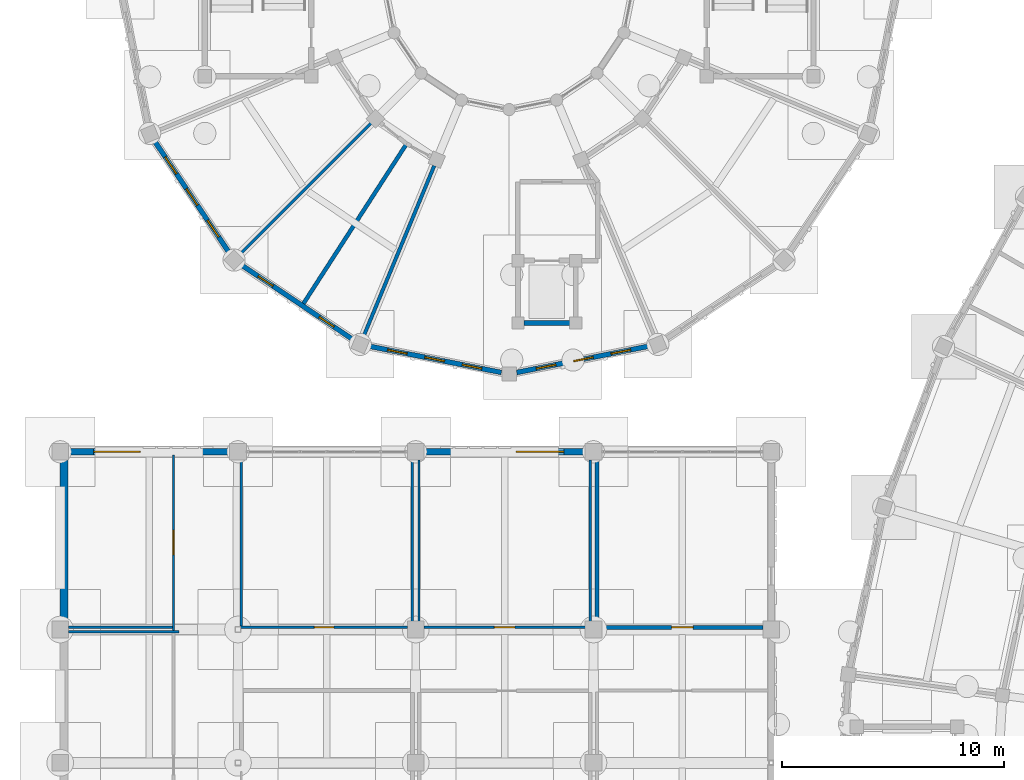
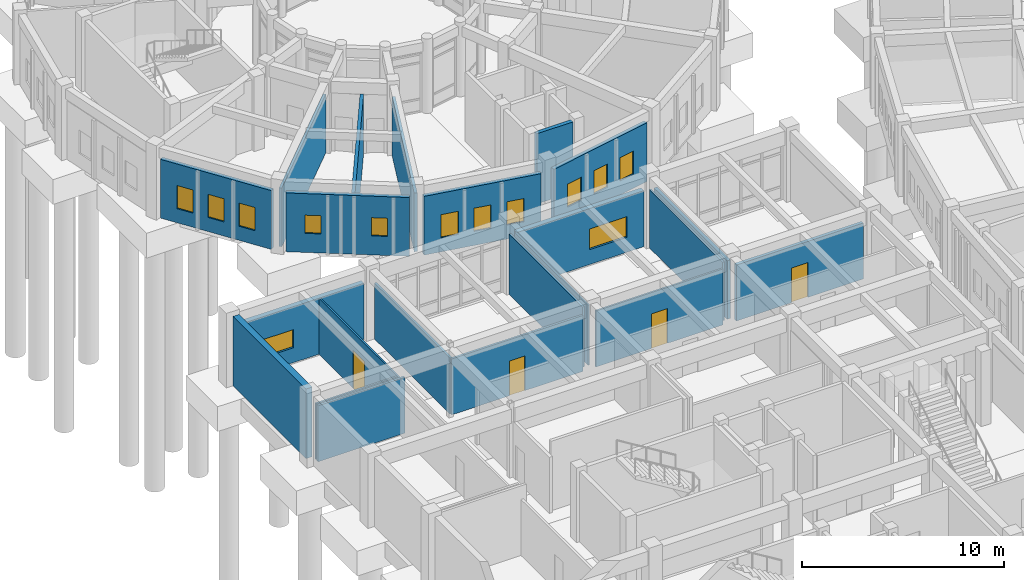
# One storey, part 125 of 153: 22 walls, 13 windows, 4 doors, 17 openings.
"""IFC4 building model written with IfcOpenShell, lengths in metres."""

from ifc_helpers import new_model, si_unit, direction, frame, frame_2d, origin, place, context, subcontext, project, spatial, rectangle, extrude, material, layer, layer_set, type_object, element, fill, save


model = new_model("IFC4")

# Units and contexts
model_context = context("Model", 3, precision=1e-05, world=origin(), true_north=direction((0.0, 1.0)))
body_context = subcontext(model_context, "Body", "Model", "MODEL_VIEW")
ifc_project = project(units=[si_unit("LENGTHUNIT", "METRE"), si_unit("AREAUNIT", "SQUARE_METRE"), si_unit("VOLUMEUNIT", "CUBIC_METRE"), si_unit("PLANEANGLEUNIT", "RADIAN"), si_unit("MASSUNIT", "GRAM", prefix="KILO")], contexts=[model_context])

# Site, building, storey
site_placement = place(None, origin())
site = spatial("IfcSite", under=ifc_project, at=site_placement, CompositionType="ELEMENT")
building_placement = place(site_placement, origin())
building = spatial("IfcBuilding", under=site, at=building_placement, Name="Celadon Cloister-Ring School", CompositionType="ELEMENT")
storey_placement = place(building_placement, origin())
storey = spatial("IfcBuildingStorey", under=building, at=storey_placement, Name="L00", CompositionType="ELEMENT", Elevation=0.0)

# Wall, opening, window
ifc_material_1 = material(Name="Rendered concrete blockwork", Category="masonry")
ifc_layer_1 = layer(ifc_material_1, 0.280029296875)
ifc_layer_set_1 = layer_set([ifc_layer_1], Name="Rendered concrete blockwork")
wall_type_1 = type_object("IfcWallType", Name="WT-EX1", PredefinedType="SOLIDWALL", material=ifc_layer_set_1)
wall_1_placement = place(storey_placement, frame((0.376953125, 76.0, 0.0), z_axis=(0.0, 0.0, 1.0), x_axis=(1.0, 0.0, 0.0)))
wall_1 = element("IfcWall", 1, at=wall_1_placement, inside=storey, type_object=wall_type_1, Name="Exterior Wall 0487", PredefinedType="SOLIDWALL", context=body_context, shape_type="SweptSolid", body=[
    extrude(rectangle(XDim=7.24609375, YDim=0.280029296875, at=frame_2d((3.623046875, 0.0))), origin(), (0.0, 0.0, 1.0), 3.382080078125),
])
opening_1_placement = place(wall_1_placement, frame((1.1240234375, 0.0, 0.89990234375)))
opening_1 = element("IfcOpeningElement", 2, at=opening_1_placement, cuts=wall_1, Name="Opening WN-09", PredefinedType="OPENING", context=body_context, shape_type="SweptSolid", body=[
    extrude(rectangle(XDim=2.10009765625, YDim=1.10009765625, at=frame_2d((1.050048828125, 0.550048828125))), frame((0.0, 0.14990234375, 0.0), z_axis=(0.0, -1.0, 0.0), x_axis=(1.0, 0.0, 0.0)), (0.0, 0.0, 1.0), 0.300048828125),
])
ifc_material_2 = material(Name="Tempered laminated insulating glass", Category="glass")
window_type_1 = type_object("IfcWindowType", Name="WN-09", PartitioningType="DOUBLE_PANEL_VERTICAL", PredefinedType="WINDOW", material=ifc_material_2)
window_1_placement = place(opening_1_placement, origin())
window_1 = element("IfcWindow", 3, at=window_1_placement, inside=storey, type_object=window_type_1, Name="Window 0995", OverallHeight=1.10009765625, OverallWidth=2.10009765625, PartitioningType="SINGLE_PANEL", PredefinedType="WINDOW", context=body_context, shape_type="SweptSolid", body=[
    extrude(rectangle(XDim=2.10009765625, YDim=1.10009765625, at=frame_2d((1.050048828125, 0.550048828125))), frame((0.0, 0.030029296875, 0.0), z_axis=(0.0, -1.0, 0.0), x_axis=(1.0, 0.0, 0.0)), (0.0, 0.0, 1.0), 0.06005859375),
])
fill(opening_1, window_1)

wall_2_placement = place(storey_placement, frame((16.376953125, 76.0, 0.0), z_axis=(0.0, 0.0, 1.0), x_axis=(1.0, 0.0, 0.0)))
wall_2 = element("IfcWall", 4, at=wall_2_placement, inside=storey, type_object=wall_type_1, Name="Exterior Wall 0488", PredefinedType="SOLIDWALL", context=body_context, shape_type="SweptSolid", body=[
    extrude(rectangle(XDim=7.24609375, YDim=0.280029296875, at=frame_2d((3.623046875, 0.0))), origin(), (0.0, 0.0, 1.0), 3.382080078125),
])
opening_2_placement = place(wall_2_placement, frame((4.14208984375, 0.0, 0.89990234375)))
opening_2 = element("IfcOpeningElement", 5, at=opening_2_placement, cuts=wall_2, Name="Opening WN-19", PredefinedType="OPENING", context=body_context, shape_type="SweptSolid", body=[
    extrude(rectangle(XDim=2.14990234375, YDim=1.25, at=frame_2d((1.074951171875, 0.625))), frame((0.0, 0.14990234375, 0.0), z_axis=(0.0, -1.0, 0.0), x_axis=(1.0, 0.0, 0.0)), (0.0, 0.0, 1.0), 0.300048828125),
])
ifc_material_3 = material(Name="Tempered laminated insulating glass", Category="glass")
window_type_2 = type_object("IfcWindowType", Name="WN-19", PartitioningType="DOUBLE_PANEL_VERTICAL", PredefinedType="WINDOW", material=ifc_material_3)
window_2_placement = place(opening_2_placement, origin())
window_2 = element("IfcWindow", 6, at=window_2_placement, inside=storey, type_object=window_type_2, Name="Window 0996", OverallHeight=1.25, OverallWidth=2.14990234375, PartitioningType="SINGLE_PANEL", PredefinedType="WINDOW", context=body_context, shape_type="SweptSolid", body=[
    extrude(rectangle(XDim=2.14990234375, YDim=1.25, at=frame_2d((1.074951171875, 0.625))), frame((0.0, 0.030029296875, 0.0), z_axis=(0.0, -1.0, 0.0), x_axis=(1.0, 0.0, 0.0)), (0.0, 0.0, 1.0), 0.06005859375),
])
fill(opening_2, window_2)

# Wall, openings, windows
ifc_material_4 = material(Name="Perforated terracotta clay brick masonry", Category="masonry")
ifc_layer_2 = layer(ifc_material_4, 0.219970703125)
ifc_layer_set_2 = layer_set([ifc_layer_2], Name="Perforated terracotta clay brick masonry")
wall_type_2 = type_object("IfcWallType", Name="WT-EX4", PredefinedType="SOLIDWALL", material=ifc_layer_set_2)
wall_3_placement = place(storey_placement, frame((7.62890625, 84.9208984375, 0.0), z_axis=(0.0, 0.0, 1.0), x_axis=(-0.555657446161, 0.831411331728, 0.0)))
wall_3 = element("IfcWall", 7, at=wall_3_placement, inside=storey, type_object=wall_type_2, Name="Exterior Wall 0222", PredefinedType="SOLIDWALL", context=body_context, shape_type="SweptSolid", body=[
    extrude(rectangle(XDim=6.11865234375, YDim=0.219970703125, at=frame_2d((3.059326171875, 0.0))), origin(), (0.0, 0.0, 1.0), 3.550048828125),
])
opening_3_placement = place(wall_3_placement, frame((0.89599609375, 0.0, 0.85009765625)))
opening_3 = element("IfcOpeningElement", 8, at=opening_3_placement, cuts=wall_3, Name="Opening WN-21", PredefinedType="OPENING", context=body_context, shape_type="SweptSolid", body=[
    extrude(rectangle(XDim=0.89990234375, YDim=1.39990234375, at=frame_2d((0.449951171875, 0.699951171875))), frame((0.0, 0.1201171875, 0.0), z_axis=(0.0, -1.0, 0.0), x_axis=(1.0, 0.0, 0.0)), (0.0, 0.0, 1.0), 0.239990234375),
])
opening_4_placement = place(wall_3_placement, frame((2.60888671875, 0.0, 0.85009765625)))
opening_4 = element("IfcOpeningElement", 9, at=opening_4_placement, cuts=wall_3, Name="Opening WN-21", PredefinedType="OPENING", context=body_context, shape_type="SweptSolid", body=[
    extrude(rectangle(XDim=0.89990234375, YDim=1.39990234375, at=frame_2d((0.449951171875, 0.699951171875))), frame((0.0, 0.1201171875, 0.0), z_axis=(0.0, -1.0, 0.0), x_axis=(1.0, 0.0, 0.0)), (0.0, 0.0, 1.0), 0.239990234375),
])
opening_5_placement = place(wall_3_placement, frame((4.322998046875, 0.0, 0.85009765625)))
opening_5 = element("IfcOpeningElement", 10, at=opening_5_placement, cuts=wall_3, Name="Opening WN-21", PredefinedType="OPENING", context=body_context, shape_type="SweptSolid", body=[
    extrude(rectangle(XDim=0.89990234375, YDim=1.39990234375, at=frame_2d((0.449951171875, 0.699951171875))), frame((0.0, 0.1201171875, 0.0), z_axis=(0.0, -1.0, 0.0), x_axis=(1.0, 0.0, 0.0)), (0.0, 0.0, 1.0), 0.239990234375),
])
ifc_material_5 = material(Name="Tempered laminated insulating glass", Category="glass")
window_type_3 = type_object("IfcWindowType", Name="WN-21", PartitioningType="SINGLE_PANEL", PredefinedType="WINDOW", material=ifc_material_5)
window_3_placement = place(opening_3_placement, origin())
window_3 = element("IfcWindow", 11, at=window_3_placement, inside=storey, type_object=window_type_3, Name="Window 0602", OverallHeight=1.39990234375, OverallWidth=0.89990234375, PartitioningType="SINGLE_PANEL", PredefinedType="WINDOW", context=body_context, shape_type="SweptSolid", body=[
    extrude(rectangle(XDim=0.89990234375, YDim=1.39990234375, at=frame_2d((0.449951171875, 0.699951171875))), frame((0.0, 0.030029296875, 0.0), z_axis=(0.0, -1.0, 0.0), x_axis=(1.0, 0.0, 0.0)), (0.0, 0.0, 1.0), 0.06005859375),
])
fill(opening_3, window_3)
window_4_placement = place(opening_4_placement, origin())
window_4 = element("IfcWindow", 12, at=window_4_placement, inside=storey, type_object=window_type_3, Name="Window 0603", OverallHeight=1.39990234375, OverallWidth=0.89990234375, PartitioningType="SINGLE_PANEL", PredefinedType="WINDOW", context=body_context, shape_type="SweptSolid", body=[
    extrude(rectangle(XDim=0.89990234375, YDim=1.39990234375, at=frame_2d((0.449951171875, 0.699951171875))), frame((0.0, 0.030029296875, 0.0), z_axis=(0.0, -1.0, 0.0), x_axis=(1.0, 0.0, 0.0)), (0.0, 0.0, 1.0), 0.06005859375),
])
fill(opening_4, window_4)
window_5_placement = place(opening_5_placement, origin())
window_5 = element("IfcWindow", 13, at=window_5_placement, inside=storey, type_object=window_type_3, Name="Window 0604", OverallHeight=1.39990234375, OverallWidth=0.89990234375, PartitioningType="SINGLE_PANEL", PredefinedType="WINDOW", context=body_context, shape_type="SweptSolid", body=[
    extrude(rectangle(XDim=0.89990234375, YDim=1.39990234375, at=frame_2d((0.449951171875, 0.699951171875))), frame((0.0, 0.030029296875, 0.0), z_axis=(0.0, -1.0, 0.0), x_axis=(1.0, 0.0, 0.0)), (0.0, 0.0, 1.0), 0.06005859375),
])
fill(opening_5, window_5)

wall_4_placement = place(storey_placement, frame((13.2080078125, 81.029052734375, 0.0), z_axis=(0.0, 0.0, 1.0), x_axis=(-0.83139901156, 0.555675879967, 0.0)))
wall_4 = element("IfcWall", 14, at=wall_4_placement, inside=storey, type_object=wall_type_2, Name="Exterior Wall 0223", PredefinedType="SOLIDWALL", context=body_context, shape_type="SweptSolid", body=[
    extrude(rectangle(XDim=6.118408203125, YDim=0.219970703125, at=frame_2d((3.05908203125, 0.0))), origin(), (0.0, 0.0, 1.0), 3.550048828125),
])
opening_6_placement = place(wall_4_placement, frame((1.068115234375, 0.0, 1.14990234375)))
opening_6 = element("IfcOpeningElement", 15, at=opening_6_placement, cuts=wall_4, Name="Opening WN-01", PredefinedType="OPENING", context=body_context, shape_type="SweptSolid", body=[
    extrude(rectangle(XDim=0.800048828125, YDim=1.10009765625, at=frame_2d((0.39990234375, 0.550048828125))), frame((0.0, 0.1201171875, 0.0), z_axis=(0.0, -1.0, 0.0), x_axis=(1.0, 0.0, 0.0)), (0.0, 0.0, 1.0), 0.239990234375),
])
opening_7_placement = place(wall_4_placement, frame((4.373046875, 0.0, 1.14990234375)))
opening_7 = element("IfcOpeningElement", 16, at=opening_7_placement, cuts=wall_4, Name="Opening WN-01", PredefinedType="OPENING", context=body_context, shape_type="SweptSolid", body=[
    extrude(rectangle(XDim=0.800048828125, YDim=1.10009765625, at=frame_2d((0.39990234375, 0.550048828125))), frame((0.0, 0.1201171875, 0.0), z_axis=(0.0, -1.0, 0.0), x_axis=(1.0, 0.0, 0.0)), (0.0, 0.0, 1.0), 0.239990234375),
])
ifc_material_6 = material(Name="Tempered laminated insulating glass", Category="glass")
window_type_4 = type_object("IfcWindowType", Name="WN-01", PartitioningType="SINGLE_PANEL", PredefinedType="WINDOW", material=ifc_material_6)
window_6_placement = place(opening_6_placement, origin())
window_6 = element("IfcWindow", 17, at=window_6_placement, inside=storey, type_object=window_type_4, Name="Window 0605", OverallHeight=1.10009765625, OverallWidth=0.800048828125, PartitioningType="SINGLE_PANEL", PredefinedType="WINDOW", context=body_context, shape_type="SweptSolid", body=[
    extrude(rectangle(XDim=0.800048828125, YDim=1.10009765625, at=frame_2d((0.39990234375, 0.550048828125))), frame((0.0, 0.030029296875, 0.0), z_axis=(0.0, -1.0, 0.0), x_axis=(1.0, 0.0, 0.0)), (0.0, 0.0, 1.0), 0.06005859375),
])
fill(opening_6, window_6)
window_7_placement = place(opening_7_placement, origin())
window_7 = element("IfcWindow", 18, at=window_7_placement, inside=storey, type_object=window_type_4, Name="Window 0606", OverallHeight=1.10009765625, OverallWidth=0.800048828125, PartitioningType="SINGLE_PANEL", PredefinedType="WINDOW", context=body_context, shape_type="SweptSolid", body=[
    extrude(rectangle(XDim=0.800048828125, YDim=1.10009765625, at=frame_2d((0.39990234375, 0.550048828125))), frame((0.0, 0.030029296875, 0.0), z_axis=(0.0, -1.0, 0.0), x_axis=(1.0, 0.0, 0.0)), (0.0, 0.0, 1.0), 0.06005859375),
])
fill(opening_7, window_7)

wall_5_placement = place(storey_placement, frame((19.85205078125, 79.569091796875, 0.0), z_axis=(0.0, 0.0, 1.0), x_axis=(-0.98077967596, 0.19511849534, 0.0)))
wall_5 = element("IfcWall", 19, at=wall_5_placement, inside=storey, type_object=wall_type_2, Name="Exterior Wall 0225", PredefinedType="SOLIDWALL", context=body_context, shape_type="SweptSolid", body=[
    extrude(rectangle(XDim=6.11865234375, YDim=0.219970703125, at=frame_2d((3.059326171875, 0.0))), origin(), (0.0, 0.0, 1.0), 3.550048828125),
])
opening_8_placement = place(wall_5_placement, frame((0.89599609375, 0.0, 0.85009765625)))
opening_8 = element("IfcOpeningElement", 20, at=opening_8_placement, cuts=wall_5, Name="Opening WN-21", PredefinedType="OPENING", context=body_context, shape_type="SweptSolid", body=[
    extrude(rectangle(XDim=0.89990234375, YDim=1.39990234375, at=frame_2d((0.449951171875, 0.699951171875))), frame((0.0, 0.1201171875, 0.0), z_axis=(0.0, -1.0, 0.0), x_axis=(1.0, 0.0, 0.0)), (0.0, 0.0, 1.0), 0.239990234375),
])
opening_9_placement = place(wall_5_placement, frame((2.60888671875, 0.0, 0.85009765625)))
opening_9 = element("IfcOpeningElement", 21, at=opening_9_placement, cuts=wall_5, Name="Opening WN-21", PredefinedType="OPENING", context=body_context, shape_type="SweptSolid", body=[
    extrude(rectangle(XDim=0.89990234375, YDim=1.39990234375, at=frame_2d((0.449951171875, 0.699951171875))), frame((0.0, 0.1201171875, 0.0), z_axis=(0.0, -1.0, 0.0), x_axis=(1.0, 0.0, 0.0)), (0.0, 0.0, 1.0), 0.239990234375),
])
opening_10_placement = place(wall_5_placement, frame((4.322998046875, 0.0, 0.85009765625)))
opening_10 = element("IfcOpeningElement", 22, at=opening_10_placement, cuts=wall_5, Name="Opening WN-21", PredefinedType="OPENING", context=body_context, shape_type="SweptSolid", body=[
    extrude(rectangle(XDim=0.89990234375, YDim=1.39990234375, at=frame_2d((0.449951171875, 0.699951171875))), frame((0.0, 0.1201171875, 0.0), z_axis=(0.0, -1.0, 0.0), x_axis=(1.0, 0.0, 0.0)), (0.0, 0.0, 1.0), 0.239990234375),
])
window_8_placement = place(opening_8_placement, origin())
window_8 = element("IfcWindow", 23, at=window_8_placement, inside=storey, type_object=window_type_3, Name="Window 0607", OverallHeight=1.39990234375, OverallWidth=0.89990234375, PartitioningType="SINGLE_PANEL", PredefinedType="WINDOW", context=body_context, shape_type="SweptSolid", body=[
    extrude(rectangle(XDim=0.89990234375, YDim=1.39990234375, at=frame_2d((0.449951171875, 0.699951171875))), frame((0.0, 0.030029296875, 0.0), z_axis=(0.0, -1.0, 0.0), x_axis=(1.0, 0.0, 0.0)), (0.0, 0.0, 1.0), 0.06005859375),
])
fill(opening_8, window_8)
window_9_placement = place(opening_9_placement, origin())
window_9 = element("IfcWindow", 24, at=window_9_placement, inside=storey, type_object=window_type_3, Name="Window 0608", OverallHeight=1.39990234375, OverallWidth=0.89990234375, PartitioningType="SINGLE_PANEL", PredefinedType="WINDOW", context=body_context, shape_type="SweptSolid", body=[
    extrude(rectangle(XDim=0.89990234375, YDim=1.39990234375, at=frame_2d((0.449951171875, 0.699951171875))), frame((0.0, 0.030029296875, 0.0), z_axis=(0.0, -1.0, 0.0), x_axis=(1.0, 0.0, 0.0)), (0.0, 0.0, 1.0), 0.06005859375),
])
fill(opening_9, window_9)
window_10_placement = place(opening_10_placement, origin())
window_10 = element("IfcWindow", 25, at=window_10_placement, inside=storey, type_object=window_type_3, Name="Window 0609", OverallHeight=1.39990234375, OverallWidth=0.89990234375, PartitioningType="SINGLE_PANEL", PredefinedType="WINDOW", context=body_context, shape_type="SweptSolid", body=[
    extrude(rectangle(XDim=0.89990234375, YDim=1.39990234375, at=frame_2d((0.449951171875, 0.699951171875))), frame((0.0, 0.030029296875, 0.0), z_axis=(0.0, -1.0, 0.0), x_axis=(1.0, 0.0, 0.0)), (0.0, 0.0, 1.0), 0.06005859375),
])
fill(opening_10, window_10)

wall_6_placement = place(storey_placement, frame((26.549072265625, 80.762939453125, 0.0), z_axis=(0.0, 0.0, 1.0), x_axis=(-0.98077967596, -0.19511849534, 0.0)))
wall_6 = element("IfcWall", 26, at=wall_6_placement, inside=storey, type_object=wall_type_2, Name="Exterior Wall 0226", PredefinedType="SOLIDWALL", context=body_context, shape_type="SweptSolid", body=[
    extrude(rectangle(XDim=6.11865234375, YDim=0.219970703125, at=frame_2d((3.059326171875, 0.0))), origin(), (0.0, 0.0, 1.0), 3.550048828125),
])
opening_11_placement = place(wall_6_placement, frame((0.89599609375, 0.0, 0.85009765625)))
opening_11 = element("IfcOpeningElement", 27, at=opening_11_placement, cuts=wall_6, Name="Opening WN-21", PredefinedType="OPENING", context=body_context, shape_type="SweptSolid", body=[
    extrude(rectangle(XDim=0.89990234375, YDim=1.39990234375, at=frame_2d((0.449951171875, 0.699951171875))), frame((0.0, 0.1201171875, 0.0), z_axis=(0.0, -1.0, 0.0), x_axis=(1.0, 0.0, 0.0)), (0.0, 0.0, 1.0), 0.239990234375),
])
opening_12_placement = place(wall_6_placement, frame((2.60888671875, 0.0, 0.85009765625)))
opening_12 = element("IfcOpeningElement", 28, at=opening_12_placement, cuts=wall_6, Name="Opening WN-21", PredefinedType="OPENING", context=body_context, shape_type="SweptSolid", body=[
    extrude(rectangle(XDim=0.89990234375, YDim=1.39990234375, at=frame_2d((0.449951171875, 0.699951171875))), frame((0.0, 0.1201171875, 0.0), z_axis=(0.0, -1.0, 0.0), x_axis=(1.0, 0.0, 0.0)), (0.0, 0.0, 1.0), 0.239990234375),
])
opening_13_placement = place(wall_6_placement, frame((4.322998046875, 0.0, 0.85009765625)))
opening_13 = element("IfcOpeningElement", 29, at=opening_13_placement, cuts=wall_6, Name="Opening WN-21", PredefinedType="OPENING", context=body_context, shape_type="SweptSolid", body=[
    extrude(rectangle(XDim=0.89990234375, YDim=1.39990234375, at=frame_2d((0.449951171875, 0.699951171875))), frame((0.0, 0.1201171875, 0.0), z_axis=(0.0, -1.0, 0.0), x_axis=(1.0, 0.0, 0.0)), (0.0, 0.0, 1.0), 0.239990234375),
])
window_11_placement = place(opening_11_placement, origin())
window_11 = element("IfcWindow", 30, at=window_11_placement, inside=storey, type_object=window_type_3, Name="Window 0610", OverallHeight=1.39990234375, OverallWidth=0.89990234375, PartitioningType="SINGLE_PANEL", PredefinedType="WINDOW", context=body_context, shape_type="SweptSolid", body=[
    extrude(rectangle(XDim=0.89990234375, YDim=1.39990234375, at=frame_2d((0.449951171875, 0.699951171875))), frame((0.0, 0.030029296875, 0.0), z_axis=(0.0, -1.0, 0.0), x_axis=(1.0, 0.0, 0.0)), (0.0, 0.0, 1.0), 0.06005859375),
])
fill(opening_11, window_11)
window_12_placement = place(opening_12_placement, origin())
window_12 = element("IfcWindow", 31, at=window_12_placement, inside=storey, type_object=window_type_3, Name="Window 0611", OverallHeight=1.39990234375, OverallWidth=0.89990234375, PartitioningType="SINGLE_PANEL", PredefinedType="WINDOW", context=body_context, shape_type="SweptSolid", body=[
    extrude(rectangle(XDim=0.89990234375, YDim=1.39990234375, at=frame_2d((0.449951171875, 0.699951171875))), frame((0.0, 0.030029296875, 0.0), z_axis=(0.0, -1.0, 0.0), x_axis=(1.0, 0.0, 0.0)), (0.0, 0.0, 1.0), 0.06005859375),
])
fill(opening_12, window_12)
window_13_placement = place(opening_13_placement, origin())
window_13 = element("IfcWindow", 32, at=window_13_placement, inside=storey, type_object=window_type_3, Name="Window 0612", OverallHeight=1.39990234375, OverallWidth=0.89990234375, PartitioningType="SINGLE_PANEL", PredefinedType="WINDOW", context=body_context, shape_type="SweptSolid", body=[
    extrude(rectangle(XDim=0.89990234375, YDim=1.39990234375, at=frame_2d((0.449951171875, 0.699951171875))), frame((0.0, 0.030029296875, 0.0), z_axis=(0.0, -1.0, 0.0), x_axis=(1.0, 0.0, 0.0)), (0.0, 0.0, 1.0), 0.06005859375),
])
fill(opening_13, window_13)

# Walls
ifc_material_7 = material(Name="Concrete C40/50", Category="concrete")
ifc_layer_3 = layer(ifc_material_7, 0.35009765625)
ifc_layer_set_3 = layer_set([ifc_layer_3], Name="Concrete C40/50")
wall_type_3 = type_object("IfcWallType", Name="WT-FW2", PredefinedType="SHEAR", material=ifc_layer_set_3)
wall_7_placement = place(storey_placement, frame((0.175048828125, 68.376953125, 0.0), z_axis=(0.0, 0.0, 1.0), x_axis=(0.0, 1.0, 0.0)))
element("IfcWall", 33, at=wall_7_placement, inside=storey, type_object=wall_type_3, Name="Exterior Wall 0500", PredefinedType="SHEAR", context=body_context, shape_type="SweptSolid", body=[
    extrude(rectangle(XDim=7.24609375, YDim=0.35009765625, at=frame_2d((3.623046875, 0.0))), origin(), (0.0, 0.0, 1.0), 4.199951171875),
])
ifc_material_8 = material(Name="Plastered hollow concrete masonry", Category="masonry")
ifc_layer_4 = layer(ifc_material_8, 0.179931640625)
ifc_layer_set_4 = layer_set([ifc_layer_4], Name="Plastered hollow concrete masonry")
wall_type_4 = type_object("IfcWallType", Name="WT-PT2", PredefinedType="PARTITIONING", material=ifc_layer_set_4)
wall_8_placement = place(storey_placement, frame((15.589111328125, 89.85888671875, 0.0), z_axis=(0.0, 0.0, 1.0), x_axis=(-0.542440235144, -0.840094394278, 0.0)))
element("IfcWall", 34, at=wall_8_placement, inside=storey, type_object=wall_type_4, Name="Interior Wall 0658", PredefinedType="PARTITIONING", context=body_context, shape_type="SweptSolid", body=[
    extrude(rectangle(XDim=8.552490234375, YDim=0.179931640625, at=frame_2d((4.2763671875, 0.0))), origin(), (0.0, 0.0, 1.0), 3.552001953125),
])

# Wall, opening, door
wall_9_placement = place(storey_placement, frame((31.633056640625, 68.10009765625, 0.0), z_axis=(0.0, 0.0, 1.0), x_axis=(-1.0, 0.0, 0.0)))
wall_9 = element("IfcWall", 35, at=wall_9_placement, inside=storey, type_object=wall_type_4, Name="Interior Wall 0942", PredefinedType="PARTITIONING", context=body_context, shape_type="SweptSolid", body=[
    extrude(rectangle(XDim=7.26611328125, YDim=0.179931640625, at=frame_2d((3.633056640625, 0.0))), origin(), (0.0, 0.0, 1.0), 3.382080078125),
])
opening_14_placement = place(wall_9_placement, frame((3.153076171875, 0.0, 0.0)))
opening_14 = element("IfcOpeningElement", 36, at=opening_14_placement, cuts=wall_9, Name="Opening D-0341", PredefinedType="OPENING", context=body_context, shape_type="SweptSolid", body=[
    extrude(rectangle(XDim=0.9599609375, YDim=2.10009765625, at=frame_2d((0.47998046875, 1.050048828125))), frame((0.0, 0.10009765625, 0.0), z_axis=(0.0, -1.0, 0.0), x_axis=(1.0, 0.0, 0.0)), (0.0, 0.0, 1.0), 0.199951171875),
])
ifc_material_9 = material(Name="Solid-core fire-rated hardwood leaf", Category="wood")
door_type_1 = type_object("IfcDoorType", Name="DT-03", OperationType="NOTDEFINED", PredefinedType="DOOR", material=ifc_material_9)
door_1_placement = place(opening_14_placement, origin())
door_1 = element("IfcDoor", 37, at=door_1_placement, inside=storey, type_object=door_type_1, Name="Door D-0341", OperationType="SINGLE_SWING_LEFT", OverallHeight=2.10009765625, OverallWidth=0.9599609375, PredefinedType="DOOR", context=body_context, shape_type="SweptSolid", body=[
    extrude(rectangle(XDim=0.9599609375, YDim=2.10009765625, at=frame_2d((0.47998046875, 1.050048828125))), frame((0.0, 0.02490234375, 0.0), z_axis=(0.0, -1.0, 0.0), x_axis=(1.0, 0.0, 0.0)), (0.0, 0.0, 1.0), 0.050048828125),
])
fill(opening_14, door_1)

# Walls
wall_10_placement = place(storey_placement, frame((24.14990234375, 68.366943359375, 0.0), z_axis=(0.0, 0.0, 1.0), x_axis=(0.0, 1.0, 0.0)))
element("IfcWall", 38, at=wall_10_placement, inside=storey, type_object=wall_type_4, Name="Interior Wall 0943", PredefinedType="PARTITIONING", context=body_context, shape_type="SweptSolid", body=[
    extrude(rectangle(XDim=7.26611328125, YDim=0.179931640625, at=frame_2d((3.633056640625, 0.0))), origin(), (0.0, 0.0, 1.0), 3.531982421875),
])
ifc_material_10 = material(Name="Plastered hollow concrete masonry", Category="masonry")
ifc_layer_5 = layer(ifc_material_10, 0.159912109375)
ifc_layer_set_5 = layer_set([ifc_layer_5], Name="Plastered hollow concrete masonry")
wall_type_5 = type_object("IfcWallType", Name="WT-PT3", PredefinedType="PARTITIONING", material=ifc_layer_set_5)
wall_11_placement = place(storey_placement, frame((16.8359375, 88.876953125, 0.0), z_axis=(0.0, 0.0, 1.0), x_axis=(-0.382780060664, -0.923839501839, 0.0)))
element("IfcWall", 39, at=wall_11_placement, inside=storey, type_object=wall_type_5, Name="Interior Wall 0650", PredefinedType="PARTITIONING", context=body_context, shape_type="SweptSolid", body=[
    extrude(rectangle(XDim=8.39111328125, YDim=0.159912109375, at=frame_2d((4.195556640625, 0.0))), origin(), (0.0, 0.0, 1.0), 3.552001953125),
])
ifc_material_11 = material(Name="Acoustic mineral-wool drywall partition")
ifc_layer_6 = layer(ifc_material_11, 0.139892578125)
ifc_layer_set_6 = layer_set([ifc_layer_6], Name="Acoustic mineral-wool drywall partition")
wall_type_6 = type_object("IfcWallType", Name="WT-PT4", PredefinedType="PARTITIONING", material=ifc_layer_set_6)
wall_12_placement = place(storey_placement, frame((13.98388671875, 90.783935546875, 0.0), z_axis=(0.0, 0.0, 1.0), x_axis=(-0.707106781187, -0.707106781187, 0.0)))
element("IfcWall", 40, at=wall_12_placement, inside=storey, type_object=wall_type_6, Name="Interior Wall 0649", PredefinedType="PARTITIONING", context=body_context, shape_type="SweptSolid", body=[
    extrude(rectangle(XDim=8.3916015625, YDim=0.139892578125, at=frame_2d((4.19580078125, 0.0))), origin(), (0.0, 0.0, 1.0), 3.552001953125),
])
ifc_material_12 = material(Name="Acoustic mineral-wool drywall partition")
ifc_layer_7 = layer(ifc_material_12, 0.1201171875)
ifc_layer_set_7 = layer_set([ifc_layer_7], Name="Acoustic mineral-wool drywall partition")
wall_type_7 = type_object("IfcWallType", Name="WT-PT5", PredefinedType="PARTITIONING", material=ifc_layer_set_7)
wall_13_placement = place(storey_placement, frame((0.366943359375, 67.89990234375, 0.0), z_axis=(0.0, 0.0, 1.0), x_axis=(1.0, 0.0, 0.0)))
element("IfcWall", 41, at=wall_13_placement, inside=storey, type_object=wall_type_7, Name="Interior Wall 0916", PredefinedType="PARTITIONING", context=body_context, shape_type="SweptSolid", body=[
    extrude(rectangle(XDim=4.97314453125, YDim=0.1201171875, at=frame_2d((2.486572265625, 0.0))), origin(), (0.0, 0.0, 1.0), 3.382080078125),
])
wall_14_placement = place(storey_placement, frame((15.85009765625, 75.633056640625, 0.0), z_axis=(0.0, 0.0, 1.0), x_axis=(0.0, -1.0, 0.0)))
element("IfcWall", 42, at=wall_14_placement, inside=storey, type_object=wall_type_7, Name="Interior Wall 0936", PredefinedType="PARTITIONING", context=body_context, shape_type="SweptSolid", body=[
    extrude(rectangle(XDim=7.26611328125, YDim=0.1201171875, at=frame_2d((3.633056640625, 0.0))), origin(), (0.0, 0.0, 1.0), 3.632080078125),
])

# Wall, opening, door
wall_15_placement = place(storey_placement, frame((15.633056640625, 68.10009765625, 0.0), z_axis=(0.0, 0.0, 1.0), x_axis=(-1.0, 0.0, 0.0)))
wall_15 = element("IfcWall", 43, at=wall_15_placement, inside=storey, type_object=wall_type_7, Name="Interior Wall 0937", PredefinedType="PARTITIONING", context=body_context, shape_type="SweptSolid", body=[
    extrude(rectangle(XDim=7.51611328125, YDim=0.1201171875, at=frame_2d((3.758056640625, 0.0))), origin(), (0.0, 0.0, 1.0), 3.382080078125),
])
opening_15_placement = place(wall_15_placement, frame((3.318115234375, 0.0, 0.0)))
opening_15 = element("IfcOpeningElement", 44, at=opening_15_placement, cuts=wall_15, Name="Opening D-0339", PredefinedType="OPENING", context=body_context, shape_type="SweptSolid", body=[
    extrude(rectangle(XDim=0.8798828125, YDim=2.10009765625, at=frame_2d((0.43994140625, 1.050048828125))), frame((0.0, 0.070068359375, 0.0), z_axis=(0.0, -1.0, 0.0), x_axis=(1.0, 0.0, 0.0)), (0.0, 0.0, 1.0), 0.14013671875),
])
ifc_material_13 = material(Name="Solid-core fire-rated hardwood leaf", Category="wood")
door_type_2 = type_object("IfcDoorType", Name="DT-01", OperationType="NOTDEFINED", PredefinedType="DOOR", material=ifc_material_13)
door_2_placement = place(opening_15_placement, origin())
door_2 = element("IfcDoor", 45, at=door_2_placement, inside=storey, type_object=door_type_2, Name="Door D-0339", OperationType="SINGLE_SWING_LEFT", OverallHeight=2.10009765625, OverallWidth=0.8798828125, PredefinedType="DOOR", context=body_context, shape_type="SweptSolid", body=[
    extrude(rectangle(XDim=0.8798828125, YDim=2.10009765625, at=frame_2d((0.43994140625, 1.050048828125))), frame((0.0, 0.02490234375, 0.0), z_axis=(0.0, -1.0, 0.0), x_axis=(1.0, 0.0, 0.0)), (0.0, 0.0, 1.0), 0.050048828125),
])
fill(opening_15, door_2)

# Wall
wall_16_placement = place(storey_placement, frame((8.14990234375, 68.1630859375, 0.0), z_axis=(0.0, 0.0, 1.0), x_axis=(0.0, 1.0, 0.0)))
element("IfcWall", 46, at=wall_16_placement, inside=storey, type_object=wall_type_7, Name="Interior Wall 0938", PredefinedType="PARTITIONING", context=body_context, shape_type="SweptSolid", body=[
    extrude(rectangle(XDim=7.469970703125, YDim=0.1201171875, at=frame_2d((3.73486328125, 0.0))), origin(), (0.0, 0.0, 1.0), 3.382080078125),
])

# Wall, opening, door
ifc_material_14 = material(Name="Acoustic mineral-wool drywall partition")
ifc_layer_8 = layer(ifc_material_14, 0.10009765625)
ifc_layer_set_8 = layer_set([ifc_layer_8], Name="Acoustic mineral-wool drywall partition")
wall_type_8 = type_object("IfcWallType", Name="WT-PT6", PredefinedType="PARTITIONING", material=ifc_layer_set_8)
wall_17_placement = place(storey_placement, frame((5.10009765625, 75.85693359375, 0.0), z_axis=(0.0, 0.0, 1.0), x_axis=(0.0, -1.0, 0.0)))
wall_17 = element("IfcWall", 47, at=wall_17_placement, inside=storey, type_object=wall_type_8, Name="Interior Wall 0919", PredefinedType="PARTITIONING", context=body_context, shape_type="SweptSolid", body=[
    extrude(rectangle(XDim=7.89404296875, YDim=0.10009765625, at=frame_2d((3.947021484375, 0.0))), origin(), (0.0, 0.0, 1.0), 3.382080078125),
])
opening_16_placement = place(wall_17_placement, frame((3.39697265625, 0.0, 0.0)))
opening_16 = element("IfcOpeningElement", 48, at=opening_16_placement, cuts=wall_17, Name="Opening D-0335", PredefinedType="OPENING", context=body_context, shape_type="SweptSolid", body=[
    extrude(rectangle(XDim=1.10009765625, YDim=2.280029296875, at=frame_2d((0.550048828125, 1.14013671875))), frame((0.0, 0.06005859375, 0.0), z_axis=(0.0, -1.0, 0.0), x_axis=(1.0, 0.0, 0.0)), (0.0, 0.0, 1.0), 0.1201171875),
])
ifc_material_15 = material(Name="Galvanised fire-rated hollow steel leaf", Category="steel")
door_type_3 = type_object("IfcDoorType", Name="DT-15", OperationType="NOTDEFINED", PredefinedType="DOOR", material=ifc_material_15)
door_3_placement = place(opening_16_placement, origin())
door_3 = element("IfcDoor", 49, at=door_3_placement, inside=storey, type_object=door_type_3, Name="Door D-0335", OperationType="SINGLE_SWING_LEFT", OverallHeight=2.280029296875, OverallWidth=1.10009765625, PredefinedType="DOOR", context=body_context, shape_type="SweptSolid", body=[
    extrude(rectangle(XDim=1.10009765625, YDim=2.280029296875, at=frame_2d((0.550048828125, 1.14013671875))), frame((0.0, 0.02490234375, 0.0), z_axis=(0.0, -1.0, 0.0), x_axis=(1.0, 0.0, 0.0)), (0.0, 0.0, 1.0), 0.050048828125),
])
fill(opening_16, door_3)

# Walls
wall_18_placement = place(storey_placement, frame((5.047119140625, 68.10009765625, 0.0), z_axis=(0.0, 0.0, 1.0), x_axis=(-1.0, 0.0, 0.0)))
element("IfcWall", 50, at=wall_18_placement, inside=storey, type_object=wall_type_8, Name="Interior Wall 0920", PredefinedType="PARTITIONING", context=body_context, shape_type="SweptSolid", body=[
    extrude(rectangle(XDim=4.68017578125, YDim=0.10009765625, at=frame_2d((2.340087890625, 0.0))), origin(), (0.0, 0.0, 1.0), 3.382080078125),
])
wall_19_placement = place(storey_placement, frame((23.85009765625, 75.633056640625, 0.0), z_axis=(0.0, 0.0, 1.0), x_axis=(0.0, -1.0, 0.0)))
element("IfcWall", 51, at=wall_19_placement, inside=storey, type_object=wall_type_8, Name="Interior Wall 0939", PredefinedType="PARTITIONING", context=body_context, shape_type="SweptSolid", body=[
    extrude(rectangle(XDim=7.26611328125, YDim=0.10009765625, at=frame_2d((3.633056640625, 0.0))), origin(), (0.0, 0.0, 1.0), 3.531982421875),
])

# Wall, opening, door
wall_20_placement = place(storey_placement, frame((23.633056640625, 68.10009765625, 0.0), z_axis=(0.0, 0.0, 1.0), x_axis=(-1.0, 0.0, 0.0)))
wall_20 = element("IfcWall", 52, at=wall_20_placement, inside=storey, type_object=wall_type_8, Name="Interior Wall 0940", PredefinedType="PARTITIONING", context=body_context, shape_type="SweptSolid", body=[
    extrude(rectangle(XDim=7.26611328125, YDim=0.10009765625, at=frame_2d((3.633056640625, 0.0))), origin(), (0.0, 0.0, 1.0), 3.382080078125),
])
opening_17_placement = place(wall_20_placement, frame((3.173095703125, 0.0, 0.0)))
opening_17 = element("IfcOpeningElement", 53, at=opening_17_placement, cuts=wall_20, Name="Opening D-0340", PredefinedType="OPENING", context=body_context, shape_type="SweptSolid", body=[
    extrude(rectangle(XDim=0.919921875, YDim=2.10009765625, at=frame_2d((0.4599609375, 1.050048828125))), frame((0.0, 0.06005859375, 0.0), z_axis=(0.0, -1.0, 0.0), x_axis=(1.0, 0.0, 0.0)), (0.0, 0.0, 1.0), 0.1201171875),
])
ifc_material_16 = material(Name="Solid-core fire-rated hardwood leaf", Category="wood")
door_type_4 = type_object("IfcDoorType", Name="DT-02", OperationType="NOTDEFINED", PredefinedType="DOOR", material=ifc_material_16)
door_4_placement = place(opening_17_placement, origin())
door_4 = element("IfcDoor", 54, at=door_4_placement, inside=storey, type_object=door_type_4, Name="Door D-0340", OperationType="SINGLE_SWING_RIGHT", OverallHeight=2.10009765625, OverallWidth=0.919921875, PredefinedType="DOOR", context=body_context, shape_type="SweptSolid", body=[
    extrude(rectangle(XDim=0.919921875, YDim=2.10009765625, at=frame_2d((0.4599609375, 1.050048828125))), frame((0.0, 0.02490234375, 0.0), z_axis=(0.0, -1.0, 0.0), x_axis=(1.0, 0.0, 0.0)), (0.0, 0.0, 1.0), 0.050048828125),
])
fill(opening_17, door_4)

# Walls
wall_21_placement = place(storey_placement, frame((16.14990234375, 68.366943359375, 0.0), z_axis=(0.0, 0.0, 1.0), x_axis=(0.0, 1.0, 0.0)))
element("IfcWall", 55, at=wall_21_placement, inside=storey, type_object=wall_type_8, Name="Interior Wall 0941", PredefinedType="PARTITIONING", context=body_context, shape_type="SweptSolid", body=[
    extrude(rectangle(XDim=7.26611328125, YDim=0.10009765625, at=frame_2d((3.633056640625, 0.0))), origin(), (0.0, 0.0, 1.0), 3.632080078125),
])
ifc_material_17 = material(Name="Concrete C40/50", Category="concrete")
ifc_layer_9 = layer(ifc_material_17, 0.219970703125)
ifc_layer_set_9 = layer_set([ifc_layer_9], Name="Concrete C40/50")
wall_type_9 = type_object("IfcWallType", Name="WT-SH2", PredefinedType="SHEAR", material=ifc_layer_set_9)
wall_22_placement = place(storey_placement, frame((20.866943359375, 81.800048828125, 0.0), z_axis=(0.0, 0.0, 1.0), x_axis=(1.0, 0.0, 0.0)))
element("IfcWall", 56, at=wall_22_placement, inside=storey, type_object=wall_type_9, Name="Interior Wall 0335", PredefinedType="SHEAR", context=body_context, shape_type="SweptSolid", body=[
    extrude(rectangle(XDim=2.066162109375, YDim=0.219970703125, at=frame_2d((1.033203125, 0.0))), origin(), (0.0, 0.0, 1.0), 4.239990234375),
])

save(model, "model.ifc")
